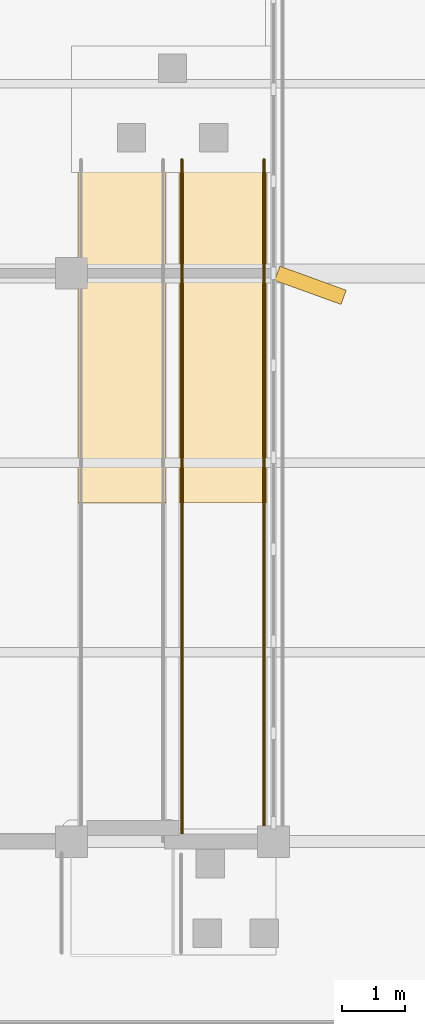
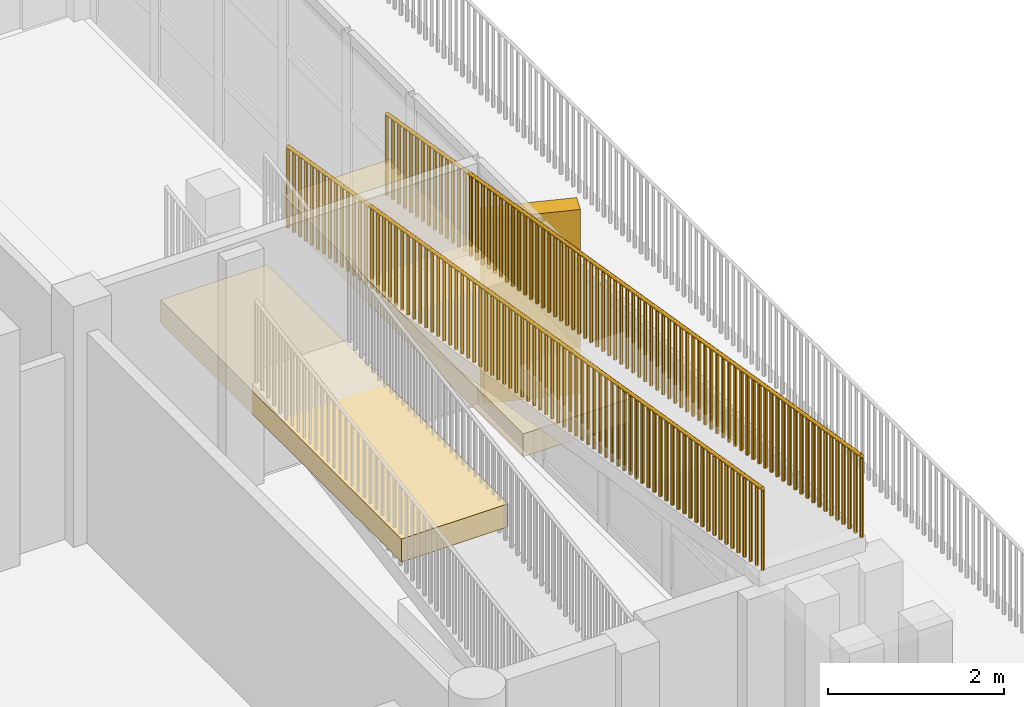
# One storey, part 45 of 51: 3 coverings, 2 railings.
"""IFC4 building model written with IfcOpenShell, lengths in metres."""

from ifc_helpers import new_model, si_unit, direction, frame, origin, origin_2d, place, context, subcontext, project, spatial, rectangle, circle, extrude, material, layer, layer_set, type_object, element, save


model = new_model("IFC4")

# Units and contexts
model_context = context("Model", 3, precision=1e-05, world=origin(), true_north=direction((0.0, 1.0)))
body_context = subcontext(model_context, "Body", "Model", "MODEL_VIEW")
ifc_project = project(units=[si_unit("LENGTHUNIT", "METRE"), si_unit("AREAUNIT", "SQUARE_METRE"), si_unit("VOLUMEUNIT", "CUBIC_METRE"), si_unit("PLANEANGLEUNIT", "RADIAN"), si_unit("MASSUNIT", "GRAM", prefix="KILO")], contexts=[model_context])

# Site, building, storey
site_placement = place(None, origin())
site = spatial("IfcSite", under=ifc_project, at=site_placement, CompositionType="ELEMENT")
building_placement = place(site_placement, origin())
building = spatial("IfcBuilding", under=site, at=building_placement, Name="Vanh Quang Courtyard School", CompositionType="ELEMENT")
storey_placement = place(building_placement, frame((0.0, 0.0, 11.39990234375)))
storey = spatial("IfcBuildingStorey", under=building, at=storey_placement, Name="L03", CompositionType="ELEMENT", Elevation=11.39990234375)

# Coverings
ifc_material_1 = material(Name="Board-marked precast concrete C40/50", Category="concrete")
ifc_layer = layer(ifc_material_1, 0.239990234375)
ifc_layer_set = layer_set([ifc_layer], Name="Board-marked precast concrete C40/50")
covering_type = type_object("IfcCoveringType", Name="COV-HOOD-CONC", PredefinedType="CLADDING", material=ifc_layer_set)
for number, where, z_axis, x_axis, name in (
    (1, (113.800048828125, 40.5, 1.0302734375), (0.0, 0.0, 1.0), (1.0, 0.0, 0.0), "Covering CH-01 (L03)"),
    (2, (115.39990234375, 40.5, 1.93017578125), (0.0, 0.0, 1.0), (1.0, 0.0, 0.0), "Covering CH-01 (L03)"),
):
    element("IfcCovering", number, at=place(storey_placement, frame(where, z_axis=z_axis, x_axis=x_axis)), inside=storey, type_object=covering_type, Name=name, PredefinedType="CLADDING", context=body_context, shape_type="SweptSolid", body=[
        extrude(rectangle(XDim=1.39990234375, YDim=5.47998046875, at=origin_2d()), origin(), (0.0, 0.0, 1.0), 0.320068359375),
    ])
covering_placement = place(storey_placement, frame((116.784912109375, 41.2099609375, 0.0), z_axis=(0.0, 0.0, 1.0), x_axis=(0.94028812701, -0.340379550213, 0.0)))
element("IfcCovering", 3, at=covering_placement, inside=storey, type_object=covering_type, Name="Covering CH-01 (L03)", PredefinedType="CLADDING", context=body_context, shape_type="SweptSolid", body=[
    extrude(rectangle(XDim=1.11669921875, YDim=0.239990234375, at=origin_2d()), origin(), (0.0, 0.0, 1.0), 2.56005859375),
])

# Railings
ifc_material_2 = material(Name="Galvanised painted steel EN 10025-2 S355J2", Category="steel")
railing_type = type_object("IfcRailingType", Name="RAIL-GUARD-1150", PredefinedType="BALUSTRADE", material=ifc_material_2)
railing_1_placement = place(storey_placement, frame((114.75, 43.199951171875, 1.800048828125)))
element("IfcRailing", 4, at=railing_1_placement, inside=storey, type_object=railing_type, Name="Railing GR-01 (L03)", PredefinedType="BALUSTRADE", context=body_context, shape_type="SweptSolid", body=[
    extrude(circle(Radius=0.02392578125, at=origin_2d()), frame((0.0, 0.0, 1.1259765625), z_axis=(0.0, -0.986393321179, 0.164402603184), x_axis=(1.0, 0.0, 0.0)), (0.0, 0.0, 1.0), 10.948974609375),
    extrude(circle(Radius=0.02099609375, at=origin_2d()), origin(), (0.0, 0.0, 1.0), 1.101806640625),
    extrude(circle(Radius=0.02099609375, at=origin_2d()), frame((0.0, -0.13671875, 0.022705078125)), (0.0, 0.0, 1.0), 1.101806640625),
    extrude(circle(Radius=0.02099609375, at=origin_2d()), frame((0.0, -0.2734375, 0.045654296875)), (0.0, 0.0, 1.0), 1.101806640625),
    extrude(circle(Radius=0.02099609375, at=origin_2d()), frame((0.0, -0.41015625, 0.068359375)), (0.0, 0.0, 1.0), 1.101806640625),
    extrude(circle(Radius=0.02099609375, at=origin_2d()), frame((0.0, -0.546875, 0.091064453125)), (0.0, 0.0, 1.0), 1.101806640625),
    extrude(circle(Radius=0.02099609375, at=origin_2d()), frame((0.0, -0.68359375, 0.114013671875)), (0.0, 0.0, 1.0), 1.101806640625),
    extrude(circle(Radius=0.02099609375, at=origin_2d()), frame((0.0, -0.8203125, 0.13671875)), (0.0, 0.0, 1.0), 1.101806640625),
    extrude(circle(Radius=0.02099609375, at=origin_2d()), frame((0.0, -0.95703125, 0.159423828125)), (0.0, 0.0, 1.0), 1.101806640625),
    extrude(circle(Radius=0.02099609375, at=origin_2d()), frame((0.0, -1.09375, 0.182373046875)), (0.0, 0.0, 1.0), 1.101806640625),
    extrude(circle(Radius=0.02099609375, at=origin_2d()), frame((0.0, -1.23046875, 0.205078125)), (0.0, 0.0, 1.0), 1.101806640625),
    extrude(circle(Radius=0.02099609375, at=origin_2d()), frame((0.0, -1.3671875, 0.227783203125)), (0.0, 0.0, 1.0), 1.101806640625),
    extrude(circle(Radius=0.02099609375, at=origin_2d()), frame((0.0, -1.50390625, 0.250732421875)), (0.0, 0.0, 1.0), 1.101806640625),
    extrude(circle(Radius=0.02099609375, at=origin_2d()), frame((0.0, -1.640625, 0.2734375)), (0.0, 0.0, 1.0), 1.101806640625),
    extrude(circle(Radius=0.02099609375, at=origin_2d()), frame((0.0, -1.77734375, 0.296142578125)), (0.0, 0.0, 1.0), 1.101806640625),
    extrude(circle(Radius=0.02099609375, at=origin_2d()), frame((0.0, -1.913818359375, 0.319091796875)), (0.0, 0.0, 1.0), 1.101806640625),
    extrude(circle(Radius=0.02099609375, at=origin_2d()), frame((0.0, -2.050537109375, 0.341796875)), (0.0, 0.0, 1.0), 1.101806640625),
    extrude(circle(Radius=0.02099609375, at=origin_2d()), frame((0.0, -2.187255859375, 0.364501953125)), (0.0, 0.0, 1.0), 1.101806640625),
    extrude(circle(Radius=0.02099609375, at=origin_2d()), frame((0.0, -2.323974609375, 0.387451171875)), (0.0, 0.0, 1.0), 1.101806640625),
    extrude(circle(Radius=0.02099609375, at=origin_2d()), frame((0.0, -2.460693359375, 0.41015625)), (0.0, 0.0, 1.0), 1.101806640625),
    extrude(circle(Radius=0.02099609375, at=origin_2d()), frame((0.0, -2.597412109375, 0.432861328125)), (0.0, 0.0, 1.0), 1.101806640625),
    extrude(circle(Radius=0.02099609375, at=origin_2d()), frame((0.0, -2.734130859375, 0.455810546875)), (0.0, 0.0, 1.0), 1.101806640625),
    extrude(circle(Radius=0.02099609375, at=origin_2d()), frame((0.0, -2.870849609375, 0.478515625)), (0.0, 0.0, 1.0), 1.101806640625),
    extrude(circle(Radius=0.02099609375, at=origin_2d()), frame((0.0, -3.007568359375, 0.501220703125)), (0.0, 0.0, 1.0), 1.101806640625),
    extrude(circle(Radius=0.02099609375, at=origin_2d()), frame((0.0, -3.144287109375, 0.524169921875)), (0.0, 0.0, 1.0), 1.101806640625),
    extrude(circle(Radius=0.02099609375, at=origin_2d()), frame((0.0, -3.281005859375, 0.546875)), (0.0, 0.0, 1.0), 1.101806640625),
    extrude(circle(Radius=0.02099609375, at=origin_2d()), frame((0.0, -3.417724609375, 0.569580078125)), (0.0, 0.0, 1.0), 1.101806640625),
    extrude(circle(Radius=0.02099609375, at=origin_2d()), frame((0.0, -3.554443359375, 0.592529296875)), (0.0, 0.0, 1.0), 1.101806640625),
    extrude(circle(Radius=0.02099609375, at=origin_2d()), frame((0.0, -3.691162109375, 0.615234375)), (0.0, 0.0, 1.0), 1.101806640625),
    extrude(circle(Radius=0.02099609375, at=origin_2d()), frame((0.0, -3.827880859375, 0.637939453125)), (0.0, 0.0, 1.0), 1.101806640625),
    extrude(circle(Radius=0.02099609375, at=origin_2d()), frame((0.0, -3.964599609375, 0.660888671875)), (0.0, 0.0, 1.0), 1.101806640625),
    extrude(circle(Radius=0.02099609375, at=origin_2d()), frame((0.0, -4.101318359375, 0.68359375)), (0.0, 0.0, 1.0), 1.101806640625),
    extrude(circle(Radius=0.02099609375, at=origin_2d()), frame((0.0, -4.238037109375, 0.706298828125)), (0.0, 0.0, 1.0), 1.101806640625),
    extrude(circle(Radius=0.02099609375, at=origin_2d()), frame((0.0, -4.374755859375, 0.729248046875)), (0.0, 0.0, 1.0), 1.101806640625),
    extrude(circle(Radius=0.02099609375, at=origin_2d()), frame((0.0, -4.511474609375, 0.751953125)), (0.0, 0.0, 1.0), 1.101806640625),
    extrude(circle(Radius=0.02099609375, at=origin_2d()), frame((0.0, -4.648193359375, 0.774658203125)), (0.0, 0.0, 1.0), 1.101806640625),
    extrude(circle(Radius=0.02099609375, at=origin_2d()), frame((0.0, -4.784912109375, 0.797607421875)), (0.0, 0.0, 1.0), 1.101806640625),
    extrude(circle(Radius=0.02099609375, at=origin_2d()), frame((0.0, -4.921630859375, 0.8203125)), (0.0, 0.0, 1.0), 1.101806640625),
    extrude(circle(Radius=0.02099609375, at=origin_2d()), frame((0.0, -5.058349609375, 0.843017578125)), (0.0, 0.0, 1.0), 1.101806640625),
    extrude(circle(Radius=0.02099609375, at=origin_2d()), frame((0.0, -5.195068359375, 0.865966796875)), (0.0, 0.0, 1.0), 1.101806640625),
    extrude(circle(Radius=0.02099609375, at=origin_2d()), frame((0.0, -5.331787109375, 0.888671875)), (0.0, 0.0, 1.0), 1.101806640625),
    extrude(circle(Radius=0.02099609375, at=origin_2d()), frame((0.0, -5.46826171875, 0.911376953125)), (0.0, 0.0, 1.0), 1.101806640625),
    extrude(circle(Radius=0.02099609375, at=origin_2d()), frame((0.0, -5.60498046875, 0.93408203125)), (0.0, 0.0, 1.0), 1.101806640625),
    extrude(circle(Radius=0.02099609375, at=origin_2d()), frame((0.0, -5.74169921875, 0.95703125)), (0.0, 0.0, 1.0), 1.101806640625),
    extrude(circle(Radius=0.02099609375, at=origin_2d()), frame((0.0, -5.87841796875, 0.979736328125)), (0.0, 0.0, 1.0), 1.101806640625),
    extrude(circle(Radius=0.02099609375, at=origin_2d()), frame((0.0, -6.01513671875, 1.00244140625)), (0.0, 0.0, 1.0), 1.101806640625),
    extrude(circle(Radius=0.02099609375, at=origin_2d()), frame((0.0, -6.15185546875, 1.025390625)), (0.0, 0.0, 1.0), 1.101806640625),
    extrude(circle(Radius=0.02099609375, at=origin_2d()), frame((0.0, -6.28857421875, 1.048095703125)), (0.0, 0.0, 1.0), 1.101806640625),
    extrude(circle(Radius=0.02099609375, at=origin_2d()), frame((0.0, -6.42529296875, 1.07080078125)), (0.0, 0.0, 1.0), 1.101806640625),
    extrude(circle(Radius=0.02099609375, at=origin_2d()), frame((0.0, -6.56201171875, 1.09375)), (0.0, 0.0, 1.0), 1.101806640625),
    extrude(circle(Radius=0.02099609375, at=origin_2d()), frame((0.0, -6.69873046875, 1.116455078125)), (0.0, 0.0, 1.0), 1.101806640625),
    extrude(circle(Radius=0.02099609375, at=origin_2d()), frame((0.0, -6.83544921875, 1.13916015625)), (0.0, 0.0, 1.0), 1.101806640625),
    extrude(circle(Radius=0.02099609375, at=origin_2d()), frame((0.0, -6.97216796875, 1.162109375)), (0.0, 0.0, 1.0), 1.101806640625),
    extrude(circle(Radius=0.02099609375, at=origin_2d()), frame((0.0, -7.10888671875, 1.184814453125)), (0.0, 0.0, 1.0), 1.101806640625),
    extrude(circle(Radius=0.02099609375, at=origin_2d()), frame((0.0, -7.24560546875, 1.20751953125)), (0.0, 0.0, 1.0), 1.101806640625),
    extrude(circle(Radius=0.02099609375, at=origin_2d()), frame((0.0, -7.38232421875, 1.23046875)), (0.0, 0.0, 1.0), 1.101806640625),
    extrude(circle(Radius=0.02099609375, at=origin_2d()), frame((0.0, -7.51904296875, 1.253173828125)), (0.0, 0.0, 1.0), 1.101806640625),
    extrude(circle(Radius=0.02099609375, at=origin_2d()), frame((0.0, -7.65576171875, 1.27587890625)), (0.0, 0.0, 1.0), 1.101806640625),
    extrude(circle(Radius=0.02099609375, at=origin_2d()), frame((0.0, -7.79248046875, 1.298828125)), (0.0, 0.0, 1.0), 1.101806640625),
    extrude(circle(Radius=0.02099609375, at=origin_2d()), frame((0.0, -7.92919921875, 1.321533203125)), (0.0, 0.0, 1.0), 1.101806640625),
    extrude(circle(Radius=0.02099609375, at=origin_2d()), frame((0.0, -8.06591796875, 1.34423828125)), (0.0, 0.0, 1.0), 1.101806640625),
    extrude(circle(Radius=0.02099609375, at=origin_2d()), frame((0.0, -8.20263671875, 1.3671875)), (0.0, 0.0, 1.0), 1.101806640625),
    extrude(circle(Radius=0.02099609375, at=origin_2d()), frame((0.0, -8.33935546875, 1.389892578125)), (0.0, 0.0, 1.0), 1.101806640625),
    extrude(circle(Radius=0.02099609375, at=origin_2d()), frame((0.0, -8.47607421875, 1.41259765625)), (0.0, 0.0, 1.0), 1.101806640625),
    extrude(circle(Radius=0.02099609375, at=origin_2d()), frame((0.0, -8.61279296875, 1.435546875)), (0.0, 0.0, 1.0), 1.101806640625),
    extrude(circle(Radius=0.02099609375, at=origin_2d()), frame((0.0, -8.74951171875, 1.458251953125)), (0.0, 0.0, 1.0), 1.101806640625),
    extrude(circle(Radius=0.02099609375, at=origin_2d()), frame((0.0, -8.88623046875, 1.48095703125)), (0.0, 0.0, 1.0), 1.101806640625),
    extrude(circle(Radius=0.02099609375, at=origin_2d()), frame((0.0, -9.022705078125, 1.50390625)), (0.0, 0.0, 1.0), 1.101806640625),
    extrude(circle(Radius=0.02099609375, at=origin_2d()), frame((0.0, -9.159423828125, 1.526611328125)), (0.0, 0.0, 1.0), 1.101806640625),
    extrude(circle(Radius=0.02099609375, at=origin_2d()), frame((0.0, -9.296142578125, 1.54931640625)), (0.0, 0.0, 1.0), 1.101806640625),
    extrude(circle(Radius=0.02099609375, at=origin_2d()), frame((0.0, -9.432861328125, 1.572265625)), (0.0, 0.0, 1.0), 1.101806640625),
    extrude(circle(Radius=0.02099609375, at=origin_2d()), frame((0.0, -9.569580078125, 1.594970703125)), (0.0, 0.0, 1.0), 1.101806640625),
    extrude(circle(Radius=0.02099609375, at=origin_2d()), frame((0.0, -9.706298828125, 1.61767578125)), (0.0, 0.0, 1.0), 1.101806640625),
    extrude(circle(Radius=0.02099609375, at=origin_2d()), frame((0.0, -9.843017578125, 1.640625)), (0.0, 0.0, 1.0), 1.101806640625),
    extrude(circle(Radius=0.02099609375, at=origin_2d()), frame((0.0, -9.979736328125, 1.663330078125)), (0.0, 0.0, 1.0), 1.101806640625),
    extrude(circle(Radius=0.02099609375, at=origin_2d()), frame((0.0, -10.116455078125, 1.68603515625)), (0.0, 0.0, 1.0), 1.101806640625),
    extrude(circle(Radius=0.02099609375, at=origin_2d()), frame((0.0, -10.253173828125, 1.708984375)), (0.0, 0.0, 1.0), 1.101806640625),
    extrude(circle(Radius=0.02099609375, at=origin_2d()), frame((0.0, -10.389892578125, 1.731689453125)), (0.0, 0.0, 1.0), 1.101806640625),
    extrude(circle(Radius=0.02099609375, at=origin_2d()), frame((0.0, -10.526611328125, 1.75439453125)), (0.0, 0.0, 1.0), 1.101806640625),
    extrude(circle(Radius=0.02099609375, at=origin_2d()), frame((0.0, -10.663330078125, 1.77734375)), (0.0, 0.0, 1.0), 1.101806640625),
    extrude(circle(Radius=0.02099609375, at=origin_2d()), frame((0.0, -10.800048828125, 1.800048828125)), (0.0, 0.0, 1.0), 1.101806640625),
])
railing_2_placement = place(storey_placement, frame((116.050048828125, 43.199951171875, 1.800048828125)))
element("IfcRailing", 5, at=railing_2_placement, inside=storey, type_object=railing_type, Name="Railing GR-01 (L03)", PredefinedType="BALUSTRADE", context=body_context, shape_type="SweptSolid", body=[
    extrude(circle(Radius=0.02392578125, at=origin_2d()), frame((0.0, 0.0, 1.1259765625), z_axis=(0.0, -0.986393321179, 0.164402603184), x_axis=(1.0, 0.0, 0.0)), (0.0, 0.0, 1.0), 10.948974609375),
    extrude(circle(Radius=0.02099609375, at=origin_2d()), origin(), (0.0, 0.0, 1.0), 1.101806640625),
    extrude(circle(Radius=0.02099609375, at=origin_2d()), frame((0.0, -0.13671875, 0.022705078125)), (0.0, 0.0, 1.0), 1.101806640625),
    extrude(circle(Radius=0.02099609375, at=origin_2d()), frame((0.0, -0.2734375, 0.045654296875)), (0.0, 0.0, 1.0), 1.101806640625),
    extrude(circle(Radius=0.02099609375, at=origin_2d()), frame((0.0, -0.41015625, 0.068359375)), (0.0, 0.0, 1.0), 1.101806640625),
    extrude(circle(Radius=0.02099609375, at=origin_2d()), frame((0.0, -0.546875, 0.091064453125)), (0.0, 0.0, 1.0), 1.101806640625),
    extrude(circle(Radius=0.02099609375, at=origin_2d()), frame((0.0, -0.68359375, 0.114013671875)), (0.0, 0.0, 1.0), 1.101806640625),
    extrude(circle(Radius=0.02099609375, at=origin_2d()), frame((0.0, -0.8203125, 0.13671875)), (0.0, 0.0, 1.0), 1.101806640625),
    extrude(circle(Radius=0.02099609375, at=origin_2d()), frame((0.0, -0.95703125, 0.159423828125)), (0.0, 0.0, 1.0), 1.101806640625),
    extrude(circle(Radius=0.02099609375, at=origin_2d()), frame((0.0, -1.09375, 0.182373046875)), (0.0, 0.0, 1.0), 1.101806640625),
    extrude(circle(Radius=0.02099609375, at=origin_2d()), frame((0.0, -1.23046875, 0.205078125)), (0.0, 0.0, 1.0), 1.101806640625),
    extrude(circle(Radius=0.02099609375, at=origin_2d()), frame((0.0, -1.3671875, 0.227783203125)), (0.0, 0.0, 1.0), 1.101806640625),
    extrude(circle(Radius=0.02099609375, at=origin_2d()), frame((0.0, -1.50390625, 0.250732421875)), (0.0, 0.0, 1.0), 1.101806640625),
    extrude(circle(Radius=0.02099609375, at=origin_2d()), frame((0.0, -1.640625, 0.2734375)), (0.0, 0.0, 1.0), 1.101806640625),
    extrude(circle(Radius=0.02099609375, at=origin_2d()), frame((0.0, -1.77734375, 0.296142578125)), (0.0, 0.0, 1.0), 1.101806640625),
    extrude(circle(Radius=0.02099609375, at=origin_2d()), frame((0.0, -1.913818359375, 0.319091796875)), (0.0, 0.0, 1.0), 1.101806640625),
    extrude(circle(Radius=0.02099609375, at=origin_2d()), frame((0.0, -2.050537109375, 0.341796875)), (0.0, 0.0, 1.0), 1.101806640625),
    extrude(circle(Radius=0.02099609375, at=origin_2d()), frame((0.0, -2.187255859375, 0.364501953125)), (0.0, 0.0, 1.0), 1.101806640625),
    extrude(circle(Radius=0.02099609375, at=origin_2d()), frame((0.0, -2.323974609375, 0.387451171875)), (0.0, 0.0, 1.0), 1.101806640625),
    extrude(circle(Radius=0.02099609375, at=origin_2d()), frame((0.0, -2.460693359375, 0.41015625)), (0.0, 0.0, 1.0), 1.101806640625),
    extrude(circle(Radius=0.02099609375, at=origin_2d()), frame((0.0, -2.597412109375, 0.432861328125)), (0.0, 0.0, 1.0), 1.101806640625),
    extrude(circle(Radius=0.02099609375, at=origin_2d()), frame((0.0, -2.734130859375, 0.455810546875)), (0.0, 0.0, 1.0), 1.101806640625),
    extrude(circle(Radius=0.02099609375, at=origin_2d()), frame((0.0, -2.870849609375, 0.478515625)), (0.0, 0.0, 1.0), 1.101806640625),
    extrude(circle(Radius=0.02099609375, at=origin_2d()), frame((0.0, -3.007568359375, 0.501220703125)), (0.0, 0.0, 1.0), 1.101806640625),
    extrude(circle(Radius=0.02099609375, at=origin_2d()), frame((0.0, -3.144287109375, 0.524169921875)), (0.0, 0.0, 1.0), 1.101806640625),
    extrude(circle(Radius=0.02099609375, at=origin_2d()), frame((0.0, -3.281005859375, 0.546875)), (0.0, 0.0, 1.0), 1.101806640625),
    extrude(circle(Radius=0.02099609375, at=origin_2d()), frame((0.0, -3.417724609375, 0.569580078125)), (0.0, 0.0, 1.0), 1.101806640625),
    extrude(circle(Radius=0.02099609375, at=origin_2d()), frame((0.0, -3.554443359375, 0.592529296875)), (0.0, 0.0, 1.0), 1.101806640625),
    extrude(circle(Radius=0.02099609375, at=origin_2d()), frame((0.0, -3.691162109375, 0.615234375)), (0.0, 0.0, 1.0), 1.101806640625),
    extrude(circle(Radius=0.02099609375, at=origin_2d()), frame((0.0, -3.827880859375, 0.637939453125)), (0.0, 0.0, 1.0), 1.101806640625),
    extrude(circle(Radius=0.02099609375, at=origin_2d()), frame((0.0, -3.964599609375, 0.660888671875)), (0.0, 0.0, 1.0), 1.101806640625),
    extrude(circle(Radius=0.02099609375, at=origin_2d()), frame((0.0, -4.101318359375, 0.68359375)), (0.0, 0.0, 1.0), 1.101806640625),
    extrude(circle(Radius=0.02099609375, at=origin_2d()), frame((0.0, -4.238037109375, 0.706298828125)), (0.0, 0.0, 1.0), 1.101806640625),
    extrude(circle(Radius=0.02099609375, at=origin_2d()), frame((0.0, -4.374755859375, 0.729248046875)), (0.0, 0.0, 1.0), 1.101806640625),
    extrude(circle(Radius=0.02099609375, at=origin_2d()), frame((0.0, -4.511474609375, 0.751953125)), (0.0, 0.0, 1.0), 1.101806640625),
    extrude(circle(Radius=0.02099609375, at=origin_2d()), frame((0.0, -4.648193359375, 0.774658203125)), (0.0, 0.0, 1.0), 1.101806640625),
    extrude(circle(Radius=0.02099609375, at=origin_2d()), frame((0.0, -4.784912109375, 0.797607421875)), (0.0, 0.0, 1.0), 1.101806640625),
    extrude(circle(Radius=0.02099609375, at=origin_2d()), frame((0.0, -4.921630859375, 0.8203125)), (0.0, 0.0, 1.0), 1.101806640625),
    extrude(circle(Radius=0.02099609375, at=origin_2d()), frame((0.0, -5.058349609375, 0.843017578125)), (0.0, 0.0, 1.0), 1.101806640625),
    extrude(circle(Radius=0.02099609375, at=origin_2d()), frame((0.0, -5.195068359375, 0.865966796875)), (0.0, 0.0, 1.0), 1.101806640625),
    extrude(circle(Radius=0.02099609375, at=origin_2d()), frame((0.0, -5.331787109375, 0.888671875)), (0.0, 0.0, 1.0), 1.101806640625),
    extrude(circle(Radius=0.02099609375, at=origin_2d()), frame((0.0, -5.46826171875, 0.911376953125)), (0.0, 0.0, 1.0), 1.101806640625),
    extrude(circle(Radius=0.02099609375, at=origin_2d()), frame((0.0, -5.60498046875, 0.93408203125)), (0.0, 0.0, 1.0), 1.101806640625),
    extrude(circle(Radius=0.02099609375, at=origin_2d()), frame((0.0, -5.74169921875, 0.95703125)), (0.0, 0.0, 1.0), 1.101806640625),
    extrude(circle(Radius=0.02099609375, at=origin_2d()), frame((0.0, -5.87841796875, 0.979736328125)), (0.0, 0.0, 1.0), 1.101806640625),
    extrude(circle(Radius=0.02099609375, at=origin_2d()), frame((0.0, -6.01513671875, 1.00244140625)), (0.0, 0.0, 1.0), 1.101806640625),
    extrude(circle(Radius=0.02099609375, at=origin_2d()), frame((0.0, -6.15185546875, 1.025390625)), (0.0, 0.0, 1.0), 1.101806640625),
    extrude(circle(Radius=0.02099609375, at=origin_2d()), frame((0.0, -6.28857421875, 1.048095703125)), (0.0, 0.0, 1.0), 1.101806640625),
    extrude(circle(Radius=0.02099609375, at=origin_2d()), frame((0.0, -6.42529296875, 1.07080078125)), (0.0, 0.0, 1.0), 1.101806640625),
    extrude(circle(Radius=0.02099609375, at=origin_2d()), frame((0.0, -6.56201171875, 1.09375)), (0.0, 0.0, 1.0), 1.101806640625),
    extrude(circle(Radius=0.02099609375, at=origin_2d()), frame((0.0, -6.69873046875, 1.116455078125)), (0.0, 0.0, 1.0), 1.101806640625),
    extrude(circle(Radius=0.02099609375, at=origin_2d()), frame((0.0, -6.83544921875, 1.13916015625)), (0.0, 0.0, 1.0), 1.101806640625),
    extrude(circle(Radius=0.02099609375, at=origin_2d()), frame((0.0, -6.97216796875, 1.162109375)), (0.0, 0.0, 1.0), 1.101806640625),
    extrude(circle(Radius=0.02099609375, at=origin_2d()), frame((0.0, -7.10888671875, 1.184814453125)), (0.0, 0.0, 1.0), 1.101806640625),
    extrude(circle(Radius=0.02099609375, at=origin_2d()), frame((0.0, -7.24560546875, 1.20751953125)), (0.0, 0.0, 1.0), 1.101806640625),
    extrude(circle(Radius=0.02099609375, at=origin_2d()), frame((0.0, -7.38232421875, 1.23046875)), (0.0, 0.0, 1.0), 1.101806640625),
    extrude(circle(Radius=0.02099609375, at=origin_2d()), frame((0.0, -7.51904296875, 1.253173828125)), (0.0, 0.0, 1.0), 1.101806640625),
    extrude(circle(Radius=0.02099609375, at=origin_2d()), frame((0.0, -7.65576171875, 1.27587890625)), (0.0, 0.0, 1.0), 1.101806640625),
    extrude(circle(Radius=0.02099609375, at=origin_2d()), frame((0.0, -7.79248046875, 1.298828125)), (0.0, 0.0, 1.0), 1.101806640625),
    extrude(circle(Radius=0.02099609375, at=origin_2d()), frame((0.0, -7.92919921875, 1.321533203125)), (0.0, 0.0, 1.0), 1.101806640625),
    extrude(circle(Radius=0.02099609375, at=origin_2d()), frame((0.0, -8.06591796875, 1.34423828125)), (0.0, 0.0, 1.0), 1.101806640625),
    extrude(circle(Radius=0.02099609375, at=origin_2d()), frame((0.0, -8.20263671875, 1.3671875)), (0.0, 0.0, 1.0), 1.101806640625),
    extrude(circle(Radius=0.02099609375, at=origin_2d()), frame((0.0, -8.33935546875, 1.389892578125)), (0.0, 0.0, 1.0), 1.101806640625),
    extrude(circle(Radius=0.02099609375, at=origin_2d()), frame((0.0, -8.47607421875, 1.41259765625)), (0.0, 0.0, 1.0), 1.101806640625),
    extrude(circle(Radius=0.02099609375, at=origin_2d()), frame((0.0, -8.61279296875, 1.435546875)), (0.0, 0.0, 1.0), 1.101806640625),
    extrude(circle(Radius=0.02099609375, at=origin_2d()), frame((0.0, -8.74951171875, 1.458251953125)), (0.0, 0.0, 1.0), 1.101806640625),
    extrude(circle(Radius=0.02099609375, at=origin_2d()), frame((0.0, -8.88623046875, 1.48095703125)), (0.0, 0.0, 1.0), 1.101806640625),
    extrude(circle(Radius=0.02099609375, at=origin_2d()), frame((0.0, -9.022705078125, 1.50390625)), (0.0, 0.0, 1.0), 1.101806640625),
    extrude(circle(Radius=0.02099609375, at=origin_2d()), frame((0.0, -9.159423828125, 1.526611328125)), (0.0, 0.0, 1.0), 1.101806640625),
    extrude(circle(Radius=0.02099609375, at=origin_2d()), frame((0.0, -9.296142578125, 1.54931640625)), (0.0, 0.0, 1.0), 1.101806640625),
    extrude(circle(Radius=0.02099609375, at=origin_2d()), frame((0.0, -9.432861328125, 1.572265625)), (0.0, 0.0, 1.0), 1.101806640625),
    extrude(circle(Radius=0.02099609375, at=origin_2d()), frame((0.0, -9.569580078125, 1.594970703125)), (0.0, 0.0, 1.0), 1.101806640625),
    extrude(circle(Radius=0.02099609375, at=origin_2d()), frame((0.0, -9.706298828125, 1.61767578125)), (0.0, 0.0, 1.0), 1.101806640625),
    extrude(circle(Radius=0.02099609375, at=origin_2d()), frame((0.0, -9.843017578125, 1.640625)), (0.0, 0.0, 1.0), 1.101806640625),
    extrude(circle(Radius=0.02099609375, at=origin_2d()), frame((0.0, -9.979736328125, 1.663330078125)), (0.0, 0.0, 1.0), 1.101806640625),
    extrude(circle(Radius=0.02099609375, at=origin_2d()), frame((0.0, -10.116455078125, 1.68603515625)), (0.0, 0.0, 1.0), 1.101806640625),
    extrude(circle(Radius=0.02099609375, at=origin_2d()), frame((0.0, -10.253173828125, 1.708984375)), (0.0, 0.0, 1.0), 1.101806640625),
    extrude(circle(Radius=0.02099609375, at=origin_2d()), frame((0.0, -10.389892578125, 1.731689453125)), (0.0, 0.0, 1.0), 1.101806640625),
    extrude(circle(Radius=0.02099609375, at=origin_2d()), frame((0.0, -10.526611328125, 1.75439453125)), (0.0, 0.0, 1.0), 1.101806640625),
    extrude(circle(Radius=0.02099609375, at=origin_2d()), frame((0.0, -10.663330078125, 1.77734375)), (0.0, 0.0, 1.0), 1.101806640625),
    extrude(circle(Radius=0.02099609375, at=origin_2d()), frame((0.0, -10.800048828125, 1.800048828125)), (0.0, 0.0, 1.0), 1.101806640625),
])

save(model, "model.ifc")
